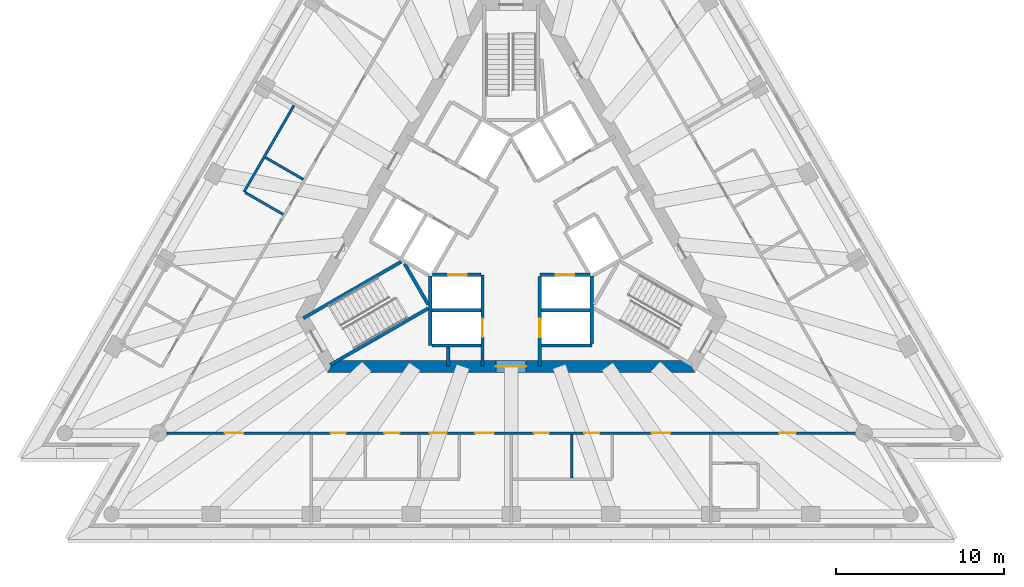
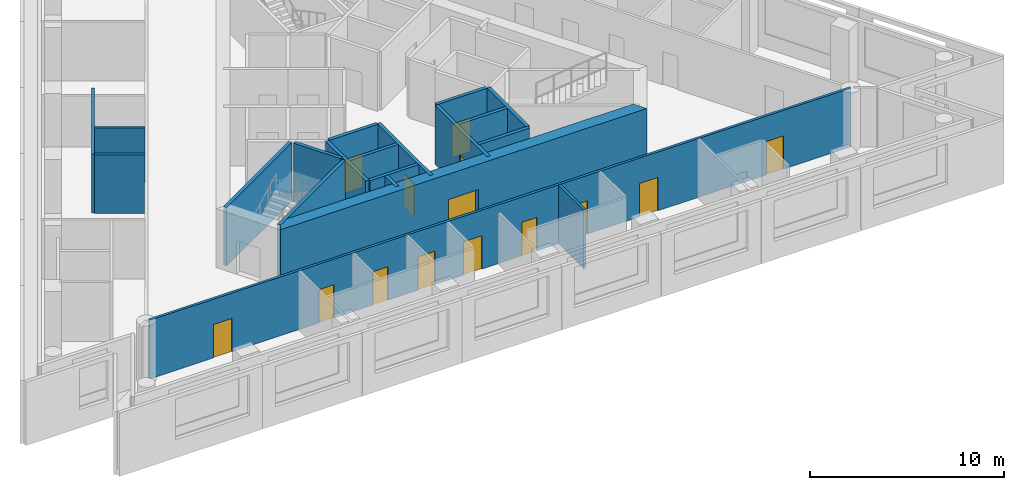
# One storey, part 3 of 9: 20 walls, 14 doors, 14 openings.
"""IFC4 building model written with IfcOpenShell, lengths in metres."""

import ifcopenshell
import ifcopenshell.guid

model = None  # the IFC model being written
_history = None  # IfcOwnerHistory: only IFC2X3 demands one
_inside = {}  # id of a spatial element -> (the spatial element, [elements in it])
_under = {}  # id of a project, library or spatial element -> (it, [spatial elements below it])
_declared = {}  # id of a project -> (the project, [libraries it declares])
_typed = {}  # id of a type object -> (the type object, [elements of that type])
_made_of = {}  # id of a material, layer set ... -> (it, [elements and type objects made of it])


def new_model(schema):
    """Start an empty IFC model of exactly this schema.

    Asked for "IFC4X3", IfcOpenShell would pick the latest addendum, in which some entities
    have other attributes; the version numbers below select the first issue.
    IFC2X3 requires an IfcOwnerHistory on every rooted entity: one is made here for all.
    """
    global model, _history
    if schema == "IFC4X3":
        model = ifcopenshell.file(schema_version=(4, 3, 0, 0))
    else:
        model = ifcopenshell.file(schema=schema)
    _inside.clear()
    _under.clear()
    _declared.clear()
    _typed.clear()
    _made_of.clear()
    _history = None
    if model.schema == "IFC2X3":
        org = make("IfcOrganization", Name="unknown")
        user = make(
            "IfcPersonAndOrganization",
            ThePerson=make("IfcPerson", FamilyName="unknown"),
            TheOrganization=org,
        )
        app = make(
            "IfcApplication",
            ApplicationDeveloper=org,
            Version="unknown",
            ApplicationFullName="unknown",
            ApplicationIdentifier="unknown",
        )
        _history = make(
            "IfcOwnerHistory",
            OwningUser=user,
            OwningApplication=app,
            ChangeAction="ADDED",
            CreationDate=0,
        )
    return model


def make(cls, **values):
    """One entity of the class cls with the attributes given. An attribute that is None is left unset."""
    return model.create_entity(
        cls, **{name: value for name, value in values.items() if value is not None}
    )


def rooted(cls, **values):
    """An entity with a GlobalId (a new one), such as an element, a storey or a relation."""
    return make(cls, GlobalId=ifcopenshell.guid.new(), OwnerHistory=_history, **values)


def si_unit(unit_type, name, prefix=None):
    """IfcSIUnit, for example si_unit("LENGTHUNIT", "METRE", prefix="MILLI")."""
    return make("IfcSIUnit", UnitType=unit_type, Prefix=prefix, Name=name)


def assignment(units):
    """IfcUnitAssignment: the units of a project."""
    return None if units is None else make("IfcUnitAssignment", Units=units)


def point(xyz):
    """IfcCartesianPoint."""
    return None if xyz is None else make("IfcCartesianPoint", Coordinates=xyz)


def direction(xyz):
    """IfcDirection."""
    return None if xyz is None else make("IfcDirection", DirectionRatios=xyz)


def frame(location, z_axis=None, x_axis=None):
    """IfcAxis2Placement3D, a coordinate frame: its origin and axes. An axis left out is left unset."""
    return make(
        "IfcAxis2Placement3D",
        Location=point(location),
        Axis=direction(z_axis),
        RefDirection=direction(x_axis),
    )


def frame_2d(location, x_axis=None):
    """IfcAxis2Placement2D, a coordinate frame in the plane: its origin and x axis."""
    return make(
        "IfcAxis2Placement2D", Location=point(location), RefDirection=direction(x_axis)
    )


def origin():
    """The frame at (0, 0, 0) with its axes left unset."""
    return frame((0.0, 0.0, 0.0))


def place(relative_to, where):
    """IfcLocalPlacement: puts the frame where relative to a parent placement (None: the world)."""
    return make(
        "IfcLocalPlacement", PlacementRelTo=relative_to, RelativePlacement=where
    )


def context(
    kind, dimensions, precision=None, world=None, true_north=None, identifier=None
):
    """IfcGeometricRepresentationContext, for example the 3D "Model" context."""
    return make(
        "IfcGeometricRepresentationContext",
        ContextIdentifier=identifier,
        ContextType=kind,
        CoordinateSpaceDimension=dimensions,
        Precision=precision,
        WorldCoordinateSystem=world,
        TrueNorth=true_north,
    )


def subcontext(parent, identifier, kind, view, scale=None):
    """IfcGeometricRepresentationSubContext, for example "Body" below "Model"."""
    return make(
        "IfcGeometricRepresentationSubContext",
        ContextIdentifier=identifier,
        ContextType=kind,
        ParentContext=parent,
        TargetScale=scale,
        TargetView=view,
    )


def project(units=None, contexts=None):
    """IfcProject with its units and contexts."""
    return rooted(
        "IfcProject",
        Name="project",
        RepresentationContexts=contexts,
        UnitsInContext=assignment(units),
    )


def spatial(cls, under=None, at=None, **own):
    """A site, building, storey or space (cls), placed at a placement, below another one or the project."""
    s = rooted(cls, ObjectPlacement=at, **own)
    if under is not None:
        _under.setdefault(under.id(), (under, []))[1].append(s)
    return s


def polyline(points):
    """IfcPolyline through the points."""
    return make("IfcPolyline", Points=[point(p) for p in points])


def profile(cls, at=None, kind="AREA", **sizes):
    """A parametric profile (cls). Its sizes go by their IFC names, for example OverallWidth=200.0."""
    return make(cls, ProfileType=kind, Position=at, **sizes)


def rectangle(**sizes):
    """IfcRectangleProfileDef."""
    return profile("IfcRectangleProfileDef", **sizes)


def outline(outer, holes=None, kind="AREA"):
    """IfcArbitraryClosedProfileDef: a profile drawn as a closed curve; with holes, ...WithVoids."""
    if holes is None:
        return make("IfcArbitraryClosedProfileDef", ProfileType=kind, OuterCurve=outer)
    return make(
        "IfcArbitraryProfileDefWithVoids",
        ProfileType=kind,
        OuterCurve=outer,
        InnerCurves=holes,
    )


def extrude(swept, where, along, depth):
    """IfcExtrudedAreaSolid: the profile swept, set in the frame where, extruded along a direction by depth."""
    return make(
        "IfcExtrudedAreaSolid",
        SweptArea=swept,
        Position=where,
        ExtrudedDirection=direction(along),
        Depth=depth,
    )


def shape(context_of_items, identifier, shape_type, items):
    """IfcShapeRepresentation: the items that make up one representation, for example the "Body"."""
    return make(
        "IfcShapeRepresentation",
        ContextOfItems=context_of_items,
        RepresentationIdentifier=identifier,
        RepresentationType=shape_type,
        Items=items,
    )


def material(Name=None, Category=None):
    """IfcMaterial."""
    return make("IfcMaterial", Name=Name, Category=Category)


def layer(
    of_material, thickness, ventilated=None, Name=None, Category=None, Priority=None
):
    """IfcMaterialLayer: one layer of a wall or slab, of a material (None: an air gap)."""
    return make(
        "IfcMaterialLayer",
        Material=of_material,
        LayerThickness=thickness,
        IsVentilated=ventilated,
        Name=Name,
        Category=Category,
        Priority=Priority,
    )


def layer_set(layers, Name=None):
    """IfcMaterialLayerSet."""
    return make("IfcMaterialLayerSet", MaterialLayers=layers, LayerSetName=Name)


def made_of(thing, what):
    """Note that an element or type object is made of a material, layer set ...; save() writes the relation."""
    if what is not None:
        _made_of.setdefault(what.id(), (what, []))[1].append(thing)
    return thing


def type_object(cls, material=None, **own):
    """A type object (cls), such as IfcWallType, which elements share."""
    return made_of(rooted(cls, **own), material)


def element(
    cls,
    number,
    at=None,
    inside=None,
    cuts=None,
    type_object=None,
    material=None,
    context=None,
    identifier="Body",
    shape_type=None,
    held_by="IfcProductDefinitionShape",
    body=None,
    shapes=None,
    **own,
):
    """One element of the class cls, such as IfcWall. Its Tag is "e" and its number.

    at: its placement. inside: the storey or other place that contains it. cuts: it is an
    opening in that element (IfcRelVoidsElement). A single representation is given by context,
    identifier, shape_type and body (its items); several are given by shapes. held_by: the class
    of the entity that holds the representations. save() writes the other relations.
    """
    e = rooted(cls, Tag="e%d" % number, ObjectPlacement=at, **own)
    if body is not None:
        shapes = [shape(context, identifier, shape_type, body)]
    if shapes is not None:
        e.Representation = make(held_by, Representations=shapes)
    if inside is not None:
        _inside.setdefault(inside.id(), (inside, []))[1].append(e)
    if cuts is not None:
        rooted(
            "IfcRelVoidsElement", RelatingBuildingElement=cuts, RelatedOpeningElement=e
        )
    if type_object is not None:
        _typed.setdefault(type_object.id(), (type_object, []))[1].append(e)
    return made_of(e, material)


def fill(opening, filler):
    """IfcRelFillsElement: the door or window that sits in an opening."""
    return rooted(
        "IfcRelFillsElement",
        RelatingOpeningElement=opening,
        RelatedBuildingElement=filler,
    )


def aggregate(whole, parts):
    """IfcRelAggregates: a whole, such as a stair, and the parts it consists of."""
    return rooted("IfcRelAggregates", RelatingObject=whole, RelatedObjects=parts)


def save(model, path):
    """Write the relations noted so far, then the file.

    IfcRelAggregates (storeys below a building ...), IfcRelContainedInSpatialStructure (elements
    in a storey), IfcRelDefinesByType, IfcRelAssociatesMaterial and IfcRelDeclares: one each for
    every whole, place, type object, material and project.
    """
    for whole, parts in _under.values():
        aggregate(whole, parts)
    for where, things in _inside.values():
        rooted(
            "IfcRelContainedInSpatialStructure",
            RelatedElements=things,
            RelatingStructure=where,
        )
    for kind, things in _typed.values():
        rooted("IfcRelDefinesByType", RelatedObjects=things, RelatingType=kind)
    for what, things in _made_of.values():
        rooted("IfcRelAssociatesMaterial", RelatedObjects=things, RelatingMaterial=what)
    for by, libraries in _declared.values():
        rooted("IfcRelDeclares", RelatingContext=by, RelatedDefinitions=libraries)
    model.write(path)


model = new_model("IFC4")

# Units and contexts
model_context = context("Model", 3, precision=1e-05, world=origin(), true_north=direction((0.0, 1.0)))
body_context = subcontext(model_context, "Body", "Model", "MODEL_VIEW")
ifc_project = project(units=[si_unit("LENGTHUNIT", "METRE"), si_unit("AREAUNIT", "SQUARE_METRE"), si_unit("VOLUMEUNIT", "CUBIC_METRE"), si_unit("PLANEANGLEUNIT", "RADIAN"), si_unit("MASSUNIT", "GRAM", prefix="KILO")], contexts=[model_context])

# Site, building, storey
site_placement = place(None, origin())
site = spatial("IfcSite", under=ifc_project, at=site_placement, CompositionType="ELEMENT")
building_placement = place(site_placement, origin())
building = spatial("IfcBuilding", under=site, at=building_placement, Name="Triada Interchange Tower", CompositionType="ELEMENT")
storey_placement = place(building_placement, frame((0.0, 0.0, 231.300048828125)))
storey = spatial("IfcBuildingStorey", under=building, at=storey_placement, Name="L54", CompositionType="ELEMENT", Elevation=231.300048828125)

# Walls
ifc_material_1 = material(Name="Concrete C30/37", Category="concrete")
ifc_layer_1 = layer(ifc_material_1, 0.199951171875)
ifc_layer_set_1 = layer_set([ifc_layer_1], Name="CORE WALL 200 EI 120")
wall_type_1 = type_object("IfcWallType", Name="CORE WALL 200 EI 120", PredefinedType="SOLIDWALL", material=ifc_layer_set_1)
for number, where, z_axis, x_axis, name in (
    (1, (-4.699951171875, -4.800048828125, 0.0), (0.0, 0.0, 1.0), (1.0, 0.0, 0.0), "Wall L53 44"),
    (2, (1.800048828125, -4.800048828125, 0.0), (0.0, 0.0, 1.0), (1.0, 0.0, 0.0), "Wall L53 45"),
):
    element("IfcWall", number, at=place(storey_placement, frame(where, z_axis=z_axis, x_axis=x_axis)), inside=storey, type_object=wall_type_1, Name=name, PredefinedType="SOLIDWALL", context=body_context, shape_type="SweptSolid", body=[
        extrude(rectangle(XDim=2.89990234375, YDim=0.199951171875, at=frame_2d((1.449951171875, 0.0))), origin(), (0.0, 0.0, 1.0), 3.699951171875),
    ])
wall_1_placement = place(storey_placement, frame((-4.800048828125, -6.89990234375, 0.0), z_axis=(0.0, 0.0, 1.0), x_axis=(0.0, 1.0, 0.0)))
element("IfcWall", 3, at=wall_1_placement, inside=storey, type_object=wall_type_1, Name="Wall L53 46", PredefinedType="SOLIDWALL", context=body_context, shape_type="SweptSolid", body=[
    extrude(rectangle(XDim=4.130859375, YDim=0.199951171875, at=frame_2d((2.0654296875, 0.0))), origin(), (0.0, 0.0, 1.0), 3.699951171875),
])
wall_2_placement = place(storey_placement, frame((-4.699951171875, -6.89990234375, 0.0), z_axis=(0.0, 0.0, 1.0), x_axis=(1.0, 0.0, 0.0)))
element("IfcWall", 4, at=wall_2_placement, inside=storey, type_object=wall_type_1, Name="Wall L53 47", PredefinedType="SOLIDWALL", context=body_context, shape_type="SweptSolid", body=[
    extrude(rectangle(XDim=2.89990234375, YDim=0.199951171875, at=frame_2d((1.449951171875, 0.0))), origin(), (0.0, 0.0, 1.0), 3.699951171875),
])
wall_3_placement = place(storey_placement, frame((1.800048828125, -6.89990234375, 0.0), z_axis=(0.0, 0.0, 1.0), x_axis=(1.0, 0.0, 0.0)))
element("IfcWall", 5, at=wall_3_placement, inside=storey, type_object=wall_type_1, Name="Wall L53 48", PredefinedType="SOLIDWALL", context=body_context, shape_type="SweptSolid", body=[
    extrude(rectangle(XDim=3.0, YDim=0.199951171875, at=frame_2d((1.5, 0.0))), origin(), (0.0, 0.0, 1.0), 3.699951171875),
])

# Wall, opening, door
wall_4_placement = place(storey_placement, frame((-1.699951171875, -8.1298828125, 0.0), z_axis=(0.0, 0.0, 1.0), x_axis=(0.0, 1.0, 0.0)))
wall_4 = element("IfcWall", 6, at=wall_4_placement, inside=storey, type_object=wall_type_1, Name="Wall L53 49", PredefinedType="SOLIDWALL", context=body_context, shape_type="SweptSolid", body=[
    extrude(rectangle(XDim=5.427001953125, YDim=0.199951171875, at=frame_2d((2.71337890625, 0.0))), origin(), (0.0, 0.0, 1.0), 3.699951171875),
])
opening_1_placement = place(wall_4_placement, frame((1.72998046875, 0.0, 0.0)))
opening_1 = element("IfcOpeningElement", 7, at=opening_1_placement, cuts=wall_4, Name="Opening LD-HR4", PredefinedType="OPENING", context=body_context, shape_type="SweptSolid", body=[
    extrude(rectangle(XDim=1.10009765625, YDim=2.10009765625, at=frame_2d((0.550048828125, 1.050048828125))), frame((0.0, 0.10986328125, 0.0), z_axis=(0.0, -1.0, 0.0), x_axis=(1.0, 0.0, 0.0)), (0.0, 0.0, 1.0), 0.219970703125),
])
ifc_material_2 = material(Name="Steel S235 door leaf", Category="steel")
door_type_1 = type_object("IfcDoorType", Name="LIFT LANDING DOOR 1100 EI 120", OperationType="SLIDING_TO_LEFT", PredefinedType="DOOR", material=ifc_material_2)
door_1_placement = place(opening_1_placement, origin())
door_1 = element("IfcDoor", 8, at=door_1_placement, inside=storey, type_object=door_type_1, Name="HR4 landing door L54", OperationType="SLIDING_TO_LEFT", OverallHeight=2.10009765625, OverallWidth=1.10009765625, PredefinedType="DOOR", context=body_context, shape_type="SweptSolid", body=[
    extrude(rectangle(XDim=1.10009765625, YDim=2.10009765625, at=frame_2d((0.550048828125, 1.050048828125))), frame((0.0, 0.02490234375, 0.0), z_axis=(0.0, -1.0, 0.0), x_axis=(1.0, 0.0, 0.0)), (0.0, 0.0, 1.0), 0.050048828125),
])
fill(opening_1, door_1)

wall_5_placement = place(storey_placement, frame((-4.676025390625, -2.699951171875, 0.0), z_axis=(0.0, 0.0, 1.0), x_axis=(1.0, 0.0, 0.0)))
wall_5 = element("IfcWall", 9, at=wall_5_placement, inside=storey, type_object=wall_type_1, Name="Wall L53 50", PredefinedType="SOLIDWALL", context=body_context, shape_type="SweptSolid", body=[
    extrude(rectangle(XDim=2.873046875, YDim=0.199951171875, at=frame_2d((1.4365234375, 0.0))), origin(), (0.0, 0.0, 1.0), 3.699951171875),
])
opening_2_placement = place(wall_5_placement, frame((0.93701171875, 0.0, 0.0)))
opening_2 = element("IfcOpeningElement", 10, at=opening_2_placement, cuts=wall_5, Name="Opening LD-HR3", PredefinedType="OPENING", context=body_context, shape_type="SweptSolid", body=[
    extrude(rectangle(XDim=1.10009765625, YDim=2.10009765625, at=frame_2d((0.550048828125, 1.050048828125))), frame((0.0, 0.10986328125, 0.0), z_axis=(0.0, -1.0, 0.0), x_axis=(1.0, 0.0, 0.0)), (0.0, 0.0, 1.0), 0.219970703125),
])
door_2_placement = place(opening_2_placement, origin())
door_2 = element("IfcDoor", 11, at=door_2_placement, inside=storey, type_object=door_type_1, Name="HR3 landing door L54", OperationType="SLIDING_TO_LEFT", OverallHeight=2.10009765625, OverallWidth=1.10009765625, PredefinedType="DOOR", context=body_context, shape_type="SweptSolid", body=[
    extrude(rectangle(XDim=1.10009765625, YDim=2.10009765625, at=frame_2d((0.550048828125, 1.050048828125))), frame((0.0, 0.02490234375, 0.0), z_axis=(0.0, -1.0, 0.0), x_axis=(1.0, 0.0, 0.0)), (0.0, 0.0, 1.0), 0.050048828125),
])
fill(opening_2, door_2)

wall_6_placement = place(storey_placement, frame((1.702880859375, -2.699951171875, 0.0), z_axis=(0.0, 0.0, 1.0), x_axis=(1.0, 0.0, 0.0)))
wall_6 = element("IfcWall", 12, at=wall_6_placement, inside=storey, type_object=wall_type_1, Name="Wall L53 51", PredefinedType="SOLIDWALL", context=body_context, shape_type="SweptSolid", body=[
    extrude(rectangle(XDim=2.97314453125, YDim=0.199951171875, at=frame_2d((1.486572265625, 0.0))), origin(), (0.0, 0.0, 1.0), 3.699951171875),
])
opening_3_placement = place(wall_6_placement, frame((0.93603515625, 0.0, 0.0)))
opening_3 = element("IfcOpeningElement", 13, at=opening_3_placement, cuts=wall_6, Name="Opening LD-HR1", PredefinedType="OPENING", context=body_context, shape_type="SweptSolid", body=[
    extrude(rectangle(XDim=1.10009765625, YDim=2.10009765625, at=frame_2d((0.550048828125, 1.050048828125))), frame((0.0, 0.10986328125, 0.0), z_axis=(0.0, -1.0, 0.0), x_axis=(1.0, 0.0, 0.0)), (0.0, 0.0, 1.0), 0.219970703125),
])
door_3_placement = place(opening_3_placement, origin())
door_3 = element("IfcDoor", 14, at=door_3_placement, inside=storey, type_object=door_type_1, Name="HR1 landing door L54", OperationType="SLIDING_TO_LEFT", OverallHeight=2.10009765625, OverallWidth=1.10009765625, PredefinedType="DOOR", context=body_context, shape_type="SweptSolid", body=[
    extrude(rectangle(XDim=1.10009765625, YDim=2.10009765625, at=frame_2d((0.550048828125, 1.050048828125))), frame((0.0, 0.02490234375, 0.0), z_axis=(0.0, -1.0, 0.0), x_axis=(1.0, 0.0, 0.0)), (0.0, 0.0, 1.0), 0.050048828125),
])
fill(opening_3, door_3)

wall_7_placement = place(storey_placement, frame((1.699951171875, -8.1298828125, 0.0), z_axis=(0.0, 0.0, 1.0), x_axis=(0.0, 1.0, 0.0)))
wall_7 = element("IfcWall", 15, at=wall_7_placement, inside=storey, type_object=wall_type_1, Name="Wall L53 56", PredefinedType="SOLIDWALL", context=body_context, shape_type="SweptSolid", body=[
    extrude(rectangle(XDim=5.326904296875, YDim=0.199951171875, at=frame_2d((2.66357421875, 0.0))), origin(), (0.0, 0.0, 1.0), 3.699951171875),
])
opening_4_placement = place(wall_7_placement, frame((1.72998046875, 0.0, 0.0)))
opening_4 = element("IfcOpeningElement", 16, at=opening_4_placement, cuts=wall_7, Name="Opening LD-HR2", PredefinedType="OPENING", context=body_context, shape_type="SweptSolid", body=[
    extrude(rectangle(XDim=1.10009765625, YDim=2.10009765625, at=frame_2d((0.550048828125, 1.050048828125))), frame((0.0, 0.10986328125, 0.0), z_axis=(0.0, -1.0, 0.0), x_axis=(1.0, 0.0, 0.0)), (0.0, 0.0, 1.0), 0.219970703125),
])
door_4_placement = place(opening_4_placement, origin())
door_4 = element("IfcDoor", 17, at=door_4_placement, inside=storey, type_object=door_type_1, Name="HR2 landing door L54", OperationType="SLIDING_TO_LEFT", OverallHeight=2.10009765625, OverallWidth=1.10009765625, PredefinedType="DOOR", context=body_context, shape_type="SweptSolid", body=[
    extrude(rectangle(XDim=1.10009765625, YDim=2.10009765625, at=frame_2d((0.550048828125, 1.050048828125))), frame((0.0, 0.02490234375, 0.0), z_axis=(0.0, -1.0, 0.0), x_axis=(1.0, 0.0, 0.0)), (0.0, 0.0, 1.0), 0.050048828125),
])
fill(opening_4, door_4)

# Walls
wall_8_placement = place(storey_placement, frame((4.800048828125, -6.800048828125, 0.0), z_axis=(0.0, 0.0, 1.0), x_axis=(0.0, 1.0, 0.0)))
element("IfcWall", 18, at=wall_8_placement, inside=storey, type_object=wall_type_1, Name="Wall L53 57", PredefinedType="SOLIDWALL", context=body_context, shape_type="SweptSolid", body=[
    extrude(rectangle(XDim=4.029052734375, YDim=0.199951171875, at=frame_2d((2.0146484375, 0.0))), origin(), (0.0, 0.0, 1.0), 3.699951171875),
])
ifc_layer_2 = layer(ifc_material_1, 0.199951171875)
ifc_layer_set_2 = layer_set([ifc_layer_2], Name="CORE WALL 200 EI 90")
wall_type_2 = type_object("IfcWallType", Name="CORE WALL 200 EI 90", PredefinedType="SOLIDWALL", material=ifc_layer_set_2)
wall_9_placement = place(storey_placement, frame((-3.72412109375, -8.1298828125, 0.0), z_axis=(0.0, 0.0, 1.0), x_axis=(0.0, 1.0, 0.0)))
element("IfcWall", 19, at=wall_9_placement, inside=storey, type_object=wall_type_2, Name="Wall L53 82", PredefinedType="SOLIDWALL", context=body_context, shape_type="SweptSolid", body=[
    extrude(rectangle(XDim=1.1298828125, YDim=0.199951171875, at=frame_2d((0.56494140625, 0.0))), origin(), (0.0, 0.0, 1.0), 3.699951171875),
])
ifc_layer_3 = layer(ifc_material_1, 0.199951171875)
ifc_layer_set_3 = layer_set([ifc_layer_3], Name="CORE WALL 200 REI 240")
wall_type_3 = type_object("IfcWallType", Name="CORE WALL 200 REI 240", PredefinedType="SOLIDWALL", material=ifc_layer_set_3)
wall_10_placement = place(storey_placement, frame((-12.343994140625, -5.279052734375, 0.0), z_axis=(0.0, 0.0, 1.0), x_axis=(0.866046323291, 0.499963764601, 0.0)))
element("IfcWall", 20, at=wall_10_placement, inside=storey, type_object=wall_type_3, Name="Wall L53 87", PredefinedType="SOLIDWALL", context=body_context, shape_type="SweptSolid", body=[
    extrude(rectangle(XDim=6.71435546875, YDim=0.199951171875, at=frame_2d((3.357177734375, 0.0))), origin(), (0.0, 0.0, 1.0), 3.699951171875),
])
wall_11_placement = place(storey_placement, frame((-6.3291015625, -2.0380859375, 0.0), z_axis=(0.0, 0.0, 1.0), x_axis=(0.500200581029, -0.865909567298, 0.0)))
element("IfcWall", 21, at=wall_11_placement, inside=storey, type_object=wall_type_3, Name="Wall L53 88", PredefinedType="SOLIDWALL", context=body_context, shape_type="SweptSolid", body=[
    extrude(rectangle(XDim=2.799072265625, YDim=0.199951171875, at=frame_2d((1.3994140625, 0.0))), origin(), (0.0, 0.0, 1.0), 3.699951171875),
])
wall_12_placement = place(storey_placement, frame((-10.743896484375, -8.051025390625, 0.0), z_axis=(0.0, 0.0, 1.0), x_axis=(0.865983344943, 0.500072840975, 0.0)))
element("IfcWall", 22, at=wall_12_placement, inside=storey, type_object=wall_type_3, Name="Wall L53 89", PredefinedType="SOLIDWALL", context=body_context, shape_type="SweptSolid", body=[
    extrude(rectangle(XDim=6.71484375, YDim=0.199951171875, at=frame_2d((3.357421875, 0.0))), origin(), (0.0, 0.0, 1.0), 3.699951171875),
])

# Wall, opening, door
ifc_material_3 = material(Name="Concrete C50/60", Category="concrete")
ifc_layer_4 = layer(ifc_material_3, 0.699951171875)
ifc_layer_set_4 = layer_set([ifc_layer_4], Name="Core wall C 700")
wall_type_4 = type_object("IfcWallType", Name="Core wall C 700", PredefinedType="SHEAR", material=ifc_layer_set_4)
wall_13_placement = place(storey_placement, frame((-10.7099609375, -8.14990234375, -0.300048828125), z_axis=(0.0, 0.0, 1.0), x_axis=(1.0, 0.0, 0.0)))
wall_13 = element("IfcWall", 23, at=wall_13_placement, inside=storey, type_object=wall_type_4, Name="Core wall WC04 L54", PredefinedType="SHEAR", context=body_context, shape_type="SweptSolid", body=[
    extrude(outline(polyline([(-0.201904296875, -0.35009765625), (1.781982421875, -0.35009765625), (3.76611328125, -0.35009765625), (5.75, -0.35009765625), (7.734130859375, -0.35009765625), (9.718017578125, -0.35009765625), (11.7021484375, -0.35009765625), (13.68603515625, -0.35009765625), (15.670166015625, -0.35009765625), (17.654052734375, -0.35009765625), (19.63818359375, -0.35009765625), (21.6220703125, -0.35009765625), (21.218017578125, 0.35009765625), (19.307373046875, 0.35009765625), (17.39697265625, 0.35009765625), (15.486328125, 0.35009765625), (13.57568359375, 0.35009765625), (11.665283203125, 0.35009765625), (9.754638671875, 0.35009765625), (7.84423828125, 0.35009765625), (5.93359375, 0.35009765625), (4.02294921875, 0.35009765625), (2.112548828125, 0.35009765625), (0.201904296875, 0.35009765625), (-0.201904296875, -0.35009765625)])), origin(), (0.0, 0.0, 1.0), 4.0),
])
opening_5_placement = place(wall_13_placement, frame((9.81005859375, 0.0, 0.300048828125)))
opening_5 = element("IfcOpeningElement", 24, at=opening_5_placement, cuts=wall_13, Name="Opening D53-39", PredefinedType="OPENING", context=body_context, shape_type="SweptSolid", body=[
    extrude(rectangle(XDim=1.800048828125, YDim=2.10009765625, at=frame_2d((0.89990234375, 1.050048828125))), frame((0.0, 0.360107421875, 0.0), z_axis=(0.0, -1.0, 0.0), x_axis=(1.0, 0.0, 0.0)), (0.0, 0.0, 1.0), 0.72021484375),
])
door_type_2 = type_object("IfcDoorType", Name="LOBBY DOOR 1800 EI2 90-C5S200", OperationType="DOUBLE_DOOR_SINGLE_SWING", PredefinedType="DOOR", material=ifc_material_2)
door_5_placement = place(opening_5_placement, origin())
door_5 = element("IfcDoor", 25, at=door_5_placement, inside=storey, type_object=door_type_2, Name="Door D53-39 L54", OperationType="DOUBLE_DOOR_SINGLE_SWING", OverallHeight=2.10009765625, OverallWidth=1.800048828125, PredefinedType="DOOR", context=body_context, shape_type="SweptSolid", body=[
    extrude(rectangle(XDim=1.800048828125, YDim=2.10009765625, at=frame_2d((0.89990234375, 1.050048828125))), frame((0.0, 0.02490234375, 0.0), z_axis=(0.0, -1.0, 0.0), x_axis=(1.0, 0.0, 0.0)), (0.0, 0.0, 1.0), 0.050048828125),
])
fill(opening_5, door_5)

# Wall, openings, doors
ifc_material_4 = material(Name="Gypsum board partition")
ifc_layer_5 = layer(ifc_material_4, 0.14990234375)
ifc_layer_set_5 = layer_set([ifc_layer_5], Name="PARTITION 150 EI 180")
wall_type_5 = type_object("IfcWallType", Name="PARTITION 150 EI 180", PredefinedType="PARTITIONING", material=ifc_layer_set_5)
wall_14_placement = place(storey_placement, frame((-20.80810546875, -12.10009765625, 0.0), z_axis=(0.0, 0.0, 1.0), x_axis=(1.0, 0.0, 0.0)))
wall_14 = element("IfcWall", 26, at=wall_14_placement, inside=storey, type_object=wall_type_5, Name="Wall L53 5", PredefinedType="PARTITIONING", context=body_context, shape_type="SweptSolid", body=[
    extrude(rectangle(XDim=41.76611328125, YDim=0.14990234375, at=frame_2d((20.883056640625, 0.0))), origin(), (0.0, 0.0, 1.0), 3.699951171875),
])
opening_6_placement = place(wall_14_placement, frame((3.800048828125, 0.0, 0.0)))
opening_6 = element("IfcOpeningElement", 27, at=opening_6_placement, cuts=wall_14, Name="Opening D53-11", PredefinedType="OPENING", context=body_context, shape_type="SweptSolid", body=[
    extrude(rectangle(XDim=1.10009765625, YDim=2.10009765625, at=frame_2d((0.550048828125, 1.050048828125))), frame((0.0, 0.0849609375, 0.0), z_axis=(0.0, -1.0, 0.0), x_axis=(1.0, 0.0, 0.0)), (0.0, 0.0, 1.0), 0.169921875),
])
opening_7_placement = place(wall_14_placement, frame((18.68505859375, 0.0, 0.0)))
opening_7 = element("IfcOpeningElement", 28, at=opening_7_placement, cuts=wall_14, Name="Opening D53-12", PredefinedType="OPENING", context=body_context, shape_type="SweptSolid", body=[
    extrude(rectangle(XDim=1.10009765625, YDim=2.10009765625, at=frame_2d((0.550048828125, 1.050048828125))), frame((0.0, 0.0849609375, 0.0), z_axis=(0.0, -1.0, 0.0), x_axis=(1.0, 0.0, 0.0)), (0.0, 0.0, 1.0), 0.169921875),
])
opening_8_placement = place(wall_14_placement, frame((10.0849609375, 0.0, 0.0)))
opening_8 = element("IfcOpeningElement", 29, at=opening_8_placement, cuts=wall_14, Name="Opening D53-13", PredefinedType="OPENING", context=body_context, shape_type="SweptSolid", body=[
    extrude(rectangle(XDim=0.89990234375, YDim=2.10009765625, at=frame_2d((0.449951171875, 1.050048828125))), frame((0.0, 0.0849609375, 0.0), z_axis=(0.0, -1.0, 0.0), x_axis=(1.0, 0.0, 0.0)), (0.0, 0.0, 1.0), 0.169921875),
])
opening_9_placement = place(wall_14_placement, frame((13.284912109375, 0.0, 0.0)))
opening_9 = element("IfcOpeningElement", 30, at=opening_9_placement, cuts=wall_14, Name="Opening D53-14", PredefinedType="OPENING", context=body_context, shape_type="SweptSolid", body=[
    extrude(rectangle(XDim=0.89990234375, YDim=2.10009765625, at=frame_2d((0.449951171875, 1.050048828125))), frame((0.0, 0.0849609375, 0.0), z_axis=(0.0, -1.0, 0.0), x_axis=(1.0, 0.0, 0.0)), (0.0, 0.0, 1.0), 0.169921875),
])
opening_10_placement = place(wall_14_placement, frame((15.985107421875, 0.0, 0.0)))
opening_10 = element("IfcOpeningElement", 31, at=opening_10_placement, cuts=wall_14, Name="Opening D53-15", PredefinedType="OPENING", context=body_context, shape_type="SweptSolid", body=[
    extrude(rectangle(XDim=1.0, YDim=2.10009765625, at=frame_2d((0.5, 1.050048828125))), frame((0.0, 0.0849609375, 0.0), z_axis=(0.0, -1.0, 0.0), x_axis=(1.0, 0.0, 0.0)), (0.0, 0.0, 1.0), 0.169921875),
])
opening_11_placement = place(wall_14_placement, frame((29.157958984375, 0.0, 0.0)))
opening_11 = element("IfcOpeningElement", 32, at=opening_11_placement, cuts=wall_14, Name="Opening D53-16", PredefinedType="OPENING", context=body_context, shape_type="SweptSolid", body=[
    extrude(rectangle(XDim=1.10009765625, YDim=2.10009765625, at=frame_2d((0.550048828125, 1.050048828125))), frame((0.0, 0.0849609375, 0.0), z_axis=(0.0, -1.0, 0.0), x_axis=(1.0, 0.0, 0.0)), (0.0, 0.0, 1.0), 0.169921875),
])
opening_12_placement = place(wall_14_placement, frame((22.157958984375, 0.0, 0.0)))
opening_12 = element("IfcOpeningElement", 33, at=opening_12_placement, cuts=wall_14, Name="Opening D53-17", PredefinedType="OPENING", context=body_context, shape_type="SweptSolid", body=[
    extrude(rectangle(XDim=0.89990234375, YDim=2.10009765625, at=frame_2d((0.449951171875, 1.050048828125))), frame((0.0, 0.0849609375, 0.0), z_axis=(0.0, -1.0, 0.0), x_axis=(1.0, 0.0, 0.0)), (0.0, 0.0, 1.0), 0.169921875),
])
opening_13_placement = place(wall_14_placement, frame((25.157958984375, 0.0, 0.0)))
opening_13 = element("IfcOpeningElement", 34, at=opening_13_placement, cuts=wall_14, Name="Opening D53-18", PredefinedType="OPENING", context=body_context, shape_type="SweptSolid", body=[
    extrude(rectangle(XDim=0.89990234375, YDim=2.10009765625, at=frame_2d((0.449951171875, 1.050048828125))), frame((0.0, 0.0849609375, 0.0), z_axis=(0.0, -1.0, 0.0), x_axis=(1.0, 0.0, 0.0)), (0.0, 0.0, 1.0), 0.169921875),
])
opening_14_placement = place(wall_14_placement, frame((36.73095703125, 0.0, 0.0)))
opening_14 = element("IfcOpeningElement", 35, at=opening_14_placement, cuts=wall_14, Name="Opening D53-19", PredefinedType="OPENING", context=body_context, shape_type="SweptSolid", body=[
    extrude(rectangle(XDim=1.0, YDim=2.10009765625, at=frame_2d((0.5, 1.050048828125))), frame((0.0, 0.0849609375, 0.0), z_axis=(0.0, -1.0, 0.0), x_axis=(1.0, 0.0, 0.0)), (0.0, 0.0, 1.0), 0.169921875),
])
door_type_3 = type_object("IfcDoorType", Name="ROOM DOOR 1000 EI2 90-C5S200", OperationType="NOTDEFINED", PredefinedType="DOOR", material=ifc_material_2)
door_6_placement = place(opening_10_placement, origin())
door_6 = element("IfcDoor", 36, at=door_6_placement, inside=storey, type_object=door_type_3, Name="Door D53-15 L54", OperationType="SINGLE_SWING_LEFT", OverallHeight=2.10009765625, OverallWidth=1.0, PredefinedType="DOOR", context=body_context, shape_type="SweptSolid", body=[
    extrude(rectangle(XDim=1.0, YDim=2.10009765625, at=frame_2d((0.5, 1.050048828125))), frame((0.0, 0.02490234375, 0.0), z_axis=(0.0, -1.0, 0.0), x_axis=(1.0, 0.0, 0.0)), (0.0, 0.0, 1.0), 0.050048828125),
])
fill(opening_10, door_6)
door_7_placement = place(opening_14_placement, origin())
door_7 = element("IfcDoor", 37, at=door_7_placement, inside=storey, type_object=door_type_3, Name="Door D53-19 L54", OperationType="SINGLE_SWING_LEFT", OverallHeight=2.10009765625, OverallWidth=1.0, PredefinedType="DOOR", context=body_context, shape_type="SweptSolid", body=[
    extrude(rectangle(XDim=1.0, YDim=2.10009765625, at=frame_2d((0.5, 1.050048828125))), frame((0.0, 0.02490234375, 0.0), z_axis=(0.0, -1.0, 0.0), x_axis=(1.0, 0.0, 0.0)), (0.0, 0.0, 1.0), 0.050048828125),
])
fill(opening_14, door_7)
door_type_4 = type_object("IfcDoorType", Name="ROOM DOOR 900 EI2 90-C5S200", OperationType="NOTDEFINED", PredefinedType="DOOR", material=ifc_material_2)
door_8_placement = place(opening_8_placement, origin())
door_8 = element("IfcDoor", 38, at=door_8_placement, inside=storey, type_object=door_type_4, Name="Door D53-13 L54", OperationType="SINGLE_SWING_RIGHT", OverallHeight=2.10009765625, OverallWidth=0.89990234375, PredefinedType="DOOR", context=body_context, shape_type="SweptSolid", body=[
    extrude(rectangle(XDim=0.89990234375, YDim=2.10009765625, at=frame_2d((0.449951171875, 1.050048828125))), frame((0.0, 0.02490234375, 0.0), z_axis=(0.0, -1.0, 0.0), x_axis=(1.0, 0.0, 0.0)), (0.0, 0.0, 1.0), 0.050048828125),
])
fill(opening_8, door_8)
door_9_placement = place(opening_9_placement, origin())
door_9 = element("IfcDoor", 39, at=door_9_placement, inside=storey, type_object=door_type_4, Name="Door D53-14 L54", OperationType="SINGLE_SWING_RIGHT", OverallHeight=2.10009765625, OverallWidth=0.89990234375, PredefinedType="DOOR", context=body_context, shape_type="SweptSolid", body=[
    extrude(rectangle(XDim=0.89990234375, YDim=2.10009765625, at=frame_2d((0.449951171875, 1.050048828125))), frame((0.0, 0.02490234375, 0.0), z_axis=(0.0, -1.0, 0.0), x_axis=(1.0, 0.0, 0.0)), (0.0, 0.0, 1.0), 0.050048828125),
])
fill(opening_9, door_9)
door_10_placement = place(opening_12_placement, origin())
door_10 = element("IfcDoor", 40, at=door_10_placement, inside=storey, type_object=door_type_4, Name="Door D53-17 L54", OperationType="SINGLE_SWING_RIGHT", OverallHeight=2.10009765625, OverallWidth=0.89990234375, PredefinedType="DOOR", context=body_context, shape_type="SweptSolid", body=[
    extrude(rectangle(XDim=0.89990234375, YDim=2.10009765625, at=frame_2d((0.449951171875, 1.050048828125))), frame((0.0, 0.02490234375, 0.0), z_axis=(0.0, -1.0, 0.0), x_axis=(1.0, 0.0, 0.0)), (0.0, 0.0, 1.0), 0.050048828125),
])
fill(opening_12, door_10)
door_11_placement = place(opening_13_placement, origin())
door_11 = element("IfcDoor", 41, at=door_11_placement, inside=storey, type_object=door_type_4, Name="Door D53-18 L54", OperationType="SINGLE_SWING_RIGHT", OverallHeight=2.10009765625, OverallWidth=0.89990234375, PredefinedType="DOOR", context=body_context, shape_type="SweptSolid", body=[
    extrude(rectangle(XDim=0.89990234375, YDim=2.10009765625, at=frame_2d((0.449951171875, 1.050048828125))), frame((0.0, 0.02490234375, 0.0), z_axis=(0.0, -1.0, 0.0), x_axis=(1.0, 0.0, 0.0)), (0.0, 0.0, 1.0), 0.050048828125),
])
fill(opening_13, door_11)
door_type_5 = type_object("IfcDoorType", Name="TENANCY ENTRANCE DOOR 1100 EI2 90-C5S200", OperationType="NOTDEFINED", PredefinedType="DOOR", material=ifc_material_2)
door_12_placement = place(opening_6_placement, origin())
door_12 = element("IfcDoor", 42, at=door_12_placement, inside=storey, type_object=door_type_5, Name="Door D53-11 L54", OperationType="SINGLE_SWING_RIGHT", OverallHeight=2.10009765625, OverallWidth=1.10009765625, PredefinedType="DOOR", context=body_context, shape_type="SweptSolid", body=[
    extrude(rectangle(XDim=1.10009765625, YDim=2.10009765625, at=frame_2d((0.550048828125, 1.050048828125))), frame((0.0, 0.02490234375, 0.0), z_axis=(0.0, -1.0, 0.0), x_axis=(1.0, 0.0, 0.0)), (0.0, 0.0, 1.0), 0.050048828125),
])
fill(opening_6, door_12)
door_13_placement = place(opening_7_placement, origin())
door_13 = element("IfcDoor", 43, at=door_13_placement, inside=storey, type_object=door_type_5, Name="Door D53-12 L54", OperationType="SINGLE_SWING_LEFT", OverallHeight=2.10009765625, OverallWidth=1.10009765625, PredefinedType="DOOR", context=body_context, shape_type="SweptSolid", body=[
    extrude(rectangle(XDim=1.10009765625, YDim=2.10009765625, at=frame_2d((0.550048828125, 1.050048828125))), frame((0.0, 0.02490234375, 0.0), z_axis=(0.0, -1.0, 0.0), x_axis=(1.0, 0.0, 0.0)), (0.0, 0.0, 1.0), 0.050048828125),
])
fill(opening_7, door_13)
door_14_placement = place(opening_11_placement, origin())
door_14 = element("IfcDoor", 44, at=door_14_placement, inside=storey, type_object=door_type_5, Name="Door D53-16 L54", OperationType="SINGLE_SWING_LEFT", OverallHeight=2.10009765625, OverallWidth=1.10009765625, PredefinedType="DOOR", context=body_context, shape_type="SweptSolid", body=[
    extrude(rectangle(XDim=1.10009765625, YDim=2.10009765625, at=frame_2d((0.550048828125, 1.050048828125))), frame((0.0, 0.02490234375, 0.0), z_axis=(0.0, -1.0, 0.0), x_axis=(1.0, 0.0, 0.0)), (0.0, 0.0, 1.0), 0.050048828125),
])
fill(opening_11, door_14)

# Walls
wall_15_placement = place(storey_placement, frame((-15.867919921875, 2.23291015625, 0.0), z_axis=(0.0, 0.0, 1.0), x_axis=(0.499932914044, 0.866064132415, 0.0)))
element("IfcWall", 45, at=wall_15_placement, inside=storey, type_object=wall_type_5, Name="Wall L53 8", PredefinedType="PARTITIONING", context=body_context, shape_type="SweptSolid", body=[
    extrude(rectangle(XDim=5.924560546875, YDim=0.14990234375, at=frame_2d((2.96240234375, 0.0))), origin(), (0.0, 0.0, 1.0), 3.699951171875),
])
for number, where, z_axis, x_axis, name in (
    (46, (-15.802978515625, 2.195068359375, 0.0), (0.0, 0.0, 1.0), (0.8660749285, -0.499914210863, 0.0), "Wall L53 9"),
    (47, (-14.60302734375, 4.27294921875, 0.0), (0.0, 0.0, 1.0), (0.8660749285, -0.499914210863, 0.0), "Wall L53 10"),
):
    element("IfcWall", number, at=place(storey_placement, frame(where, z_axis=z_axis, x_axis=x_axis)), inside=storey, type_object=wall_type_5, Name=name, PredefinedType="PARTITIONING", context=body_context, shape_type="SweptSolid", body=[
        extrude(rectangle(XDim=2.6083984375, YDim=0.14990234375, at=frame_2d((1.30419921875, 0.0))), origin(), (0.0, 0.0, 1.0), 3.699951171875),
    ])
wall_16_placement = place(storey_placement, frame((3.60009765625, -14.783935546875, 0.0), z_axis=(0.0, 0.0, 1.0), x_axis=(0.0, 1.0, 0.0)))
element("IfcWall", 48, at=wall_16_placement, inside=storey, type_object=wall_type_5, Name="Wall L53 22", PredefinedType="PARTITIONING", context=body_context, shape_type="SweptSolid", body=[
    extrude(rectangle(XDim=2.60888671875, YDim=0.14990234375, at=frame_2d((1.304443359375, 0.0))), origin(), (0.0, 0.0, 1.0), 3.699951171875),
])

save(model, "model.ifc")
